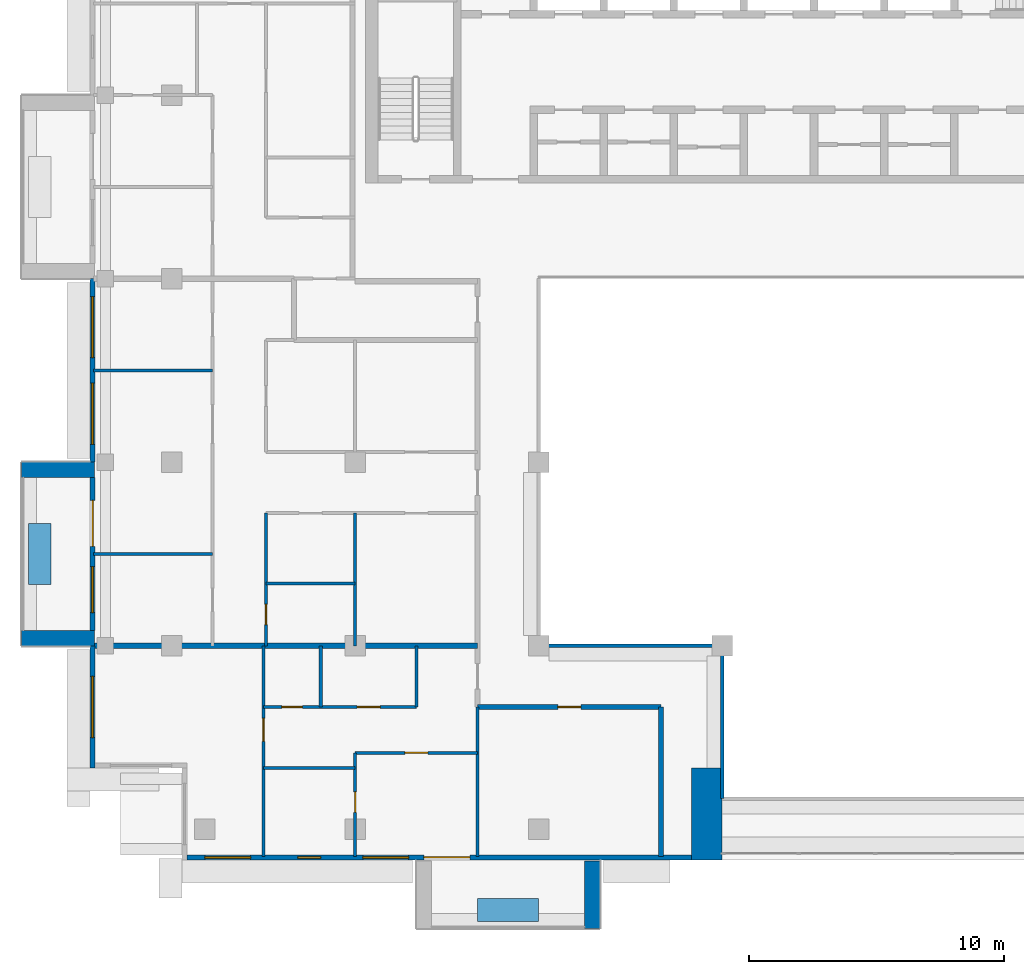
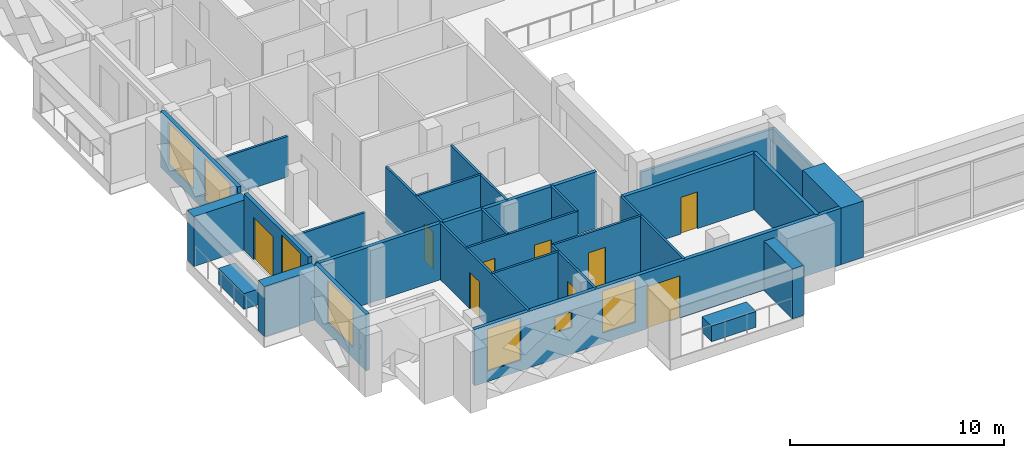
# One storey, part 6 of 19: 28 walls, 9 doors, 7 windows, 16 openings.
"""IFC4 building model written with IfcOpenShell, lengths in metres."""

from ifc_helpers import new_model, si_unit, direction, frame, frame_2d, origin, place, context, subcontext, project, spatial, rectangle, extrude, material, layer, layer_set, type_object, element, fill, save


model = new_model("IFC4")

# Units and contexts
model_context = context("Model", 3, precision=1e-05, world=origin(), true_north=direction((0.0, 1.0)))
body_context = subcontext(model_context, "Body", "Model", "MODEL_VIEW")
ifc_project = project(units=[si_unit("LENGTHUNIT", "METRE"), si_unit("AREAUNIT", "SQUARE_METRE"), si_unit("VOLUMEUNIT", "CUBIC_METRE"), si_unit("PLANEANGLEUNIT", "RADIAN"), si_unit("MASSUNIT", "GRAM", prefix="KILO")], contexts=[model_context])

# Site, building, storey
site_placement = place(None, origin())
site = spatial("IfcSite", under=ifc_project, at=site_placement, CompositionType="ELEMENT")
building_placement = place(site_placement, origin())
building = spatial("IfcBuilding", under=site, at=building_placement, Name="Saffron Iwan Residences", CompositionType="ELEMENT")
storey_placement = place(building_placement, frame((0.0, 0.0, 246.5)))
storey = spatial("IfcBuildingStorey", under=building, at=storey_placement, Name="L66", CompositionType="ELEMENT", Elevation=246.5)

# Walls
ifc_material_1 = material(Name="Fire-rated glazing", Category="glass")
ifc_layer_1 = layer(ifc_material_1, 0.14990234375)
ifc_layer_set_1 = layer_set([ifc_layer_1], Name="Fire-rated glazing")
wall_type_1 = type_object("IfcWallType", Name="Atrium glazed screen 150", PredefinedType="SOLIDWALL", material=ifc_layer_set_1)
wall_1_placement = place(storey_placement, frame((36.0, 48.0, 0.0), z_axis=(0.0, 0.0, 1.0), x_axis=(1.0, 0.0, 0.0)))
element("IfcWall", 1, at=wall_1_placement, inside=storey, type_object=wall_type_1, Name="W-L66-SCREEN-h48-36", PredefinedType="SOLIDWALL", context=body_context, shape_type="SweptSolid", body=[
    extrude(rectangle(XDim=7.199951171875, YDim=0.14990234375, at=frame_2d((3.60009765625, 0.0))), origin(), (0.0, 0.0, 1.0), 2.320068359375),
])
wall_2_placement = place(storey_placement, frame((43.199951171875, 42.0, 0.0), z_axis=(0.0, 0.0, 1.0), x_axis=(0.0, 1.0, 0.0)))
element("IfcWall", 2, at=wall_2_placement, inside=storey, type_object=wall_type_1, Name="W-L66-SCREEN-v43.2-42", PredefinedType="SOLIDWALL", context=body_context, shape_type="SweptSolid", body=[
    extrude(rectangle(XDim=6.0, YDim=0.14990234375, at=frame_2d((3.0, 0.0))), origin(), (0.0, 0.0, 1.0), 2.320068359375),
])
ifc_material_2 = material(Name="Concrete C50/60 white painted", Category="concrete")
ifc_layer_2 = layer(ifc_material_2, 0.60009765625)
ifc_layer_set_2 = layer_set([ifc_layer_2], Name="Concrete C50/60 white painted")
wall_type_2 = type_object("IfcWallType", Name="BALCONY FIN 600", PredefinedType="SOLIDWALL", material=ifc_layer_set_2)
for number, where, z_axis, x_axis, name in (
    (3, (18.574951171875, 54.89990234375, 0.0), (0.0, 0.0, 1.0), (-1.0, 0.0, 0.0), "Balcony fin L66 F8-1a"),
    (4, (18.574951171875, 48.300048828125, 0.0), (0.0, 0.0, 1.0), (-1.0, 0.0, 0.0), "Balcony fin L66 F8-1b"),
):
    element("IfcWall", number, at=place(storey_placement, frame(where, z_axis=z_axis, x_axis=x_axis)), inside=storey, type_object=wall_type_2, Name=name, PredefinedType="SOLIDWALL", context=body_context, shape_type="SweptSolid", body=[
        extrude(rectangle(XDim=2.875, YDim=0.60009765625, at=frame_2d((1.4375, 0.0))), origin(), (0.0, 0.0, 1.0), 2.85009765625),
    ])
wall_3_placement = place(storey_placement, frame((38.10009765625, 39.550048828125, 0.0), z_axis=(0.0, 0.0, 1.0), x_axis=(0.0, -1.0, 0.0)))
element("IfcWall", 5, at=wall_3_placement, inside=storey, type_object=wall_type_2, Name="Balcony fin L66 11-0b", PredefinedType="SOLIDWALL", context=body_context, shape_type="SweptSolid", body=[
    extrude(rectangle(XDim=2.650146484375, YDim=0.60009765625, at=frame_2d((1.3251953125, 0.0))), origin(), (0.0, 0.0, 1.0), 2.85009765625),
])
ifc_material_3 = material(Name="Concrete C35/45 white painted", Category="concrete")
ifc_layer_3 = layer(ifc_material_3, 0.14990234375)
ifc_layer_set_3 = layer_set([ifc_layer_3], Name="Concrete C35/45 white painted")
wall_type_3 = type_object("IfcWallType", Name="BALCONY PLANTER", PredefinedType="SOLIDWALL", material=ifc_layer_set_3)
wall_4_placement = place(storey_placement, frame((16.425048828125, 52.800048828125, 0.0), z_axis=(0.0, 0.0, 1.0), x_axis=(0.0, -1.0, 0.0)))
element("IfcWall", 6, at=wall_4_placement, inside=storey, type_object=wall_type_3, Name="PLANTER L66 F8-1", PredefinedType="SOLIDWALL", context=body_context, shape_type="SweptSolid", body=[
    extrude(rectangle(XDim=2.400146484375, YDim=0.89990234375, at=frame_2d((1.2001953125, 0.0))), origin(), (0.0, 0.0, 1.0), 0.89990234375),
])
wall_5_placement = place(storey_placement, frame((33.60009765625, 37.625, 0.0), z_axis=(0.0, 0.0, 1.0), x_axis=(1.0, 0.0, 0.0)))
element("IfcWall", 7, at=wall_5_placement, inside=storey, type_object=wall_type_3, Name="PLANTER L66 11-0", PredefinedType="SOLIDWALL", context=body_context, shape_type="SweptSolid", body=[
    extrude(rectangle(XDim=2.39990234375, YDim=0.89990234375, at=frame_2d((1.199951171875, 0.0))), origin(), (0.0, 0.0, 1.0), 0.89990234375),
])

# Wall, openings, windows
ifc_material_4 = material(Name="Concrete C40/50", Category="concrete")
ifc_layer_4 = layer(ifc_material_4, 0.199951171875)
ifc_layer_set_4 = layer_set([ifc_layer_4], Name="Concrete C40/50")
wall_type_4 = type_object("IfcWallType", Name="EXTERNAL WALL 200", PredefinedType="SOLIDWALL", material=ifc_layer_set_4)
wall_6_placement = place(storey_placement, frame((18.5, 62.39990234375, 0.0), z_axis=(0.0, 0.0, 1.0), x_axis=(0.0, -1.0, 0.0)))
wall_6 = element("IfcWall", 8, at=wall_6_placement, inside=storey, type_object=wall_type_4, Name="External wall L66 F8.2", PredefinedType="SOLIDWALL", context=body_context, shape_type="SweptSolid", body=[
    extrude(rectangle(XDim=7.199951171875, YDim=0.199951171875, at=frame_2d((3.60009765625, 0.0))), origin(), (0.0, 0.0, 1.0), 3.219970703125),
])
opening_1_placement = place(wall_6_placement, frame((4.10009765625, 0.0, 0.60009765625)))
opening_1 = element("IfcOpeningElement", 9, at=opening_1_placement, cuts=wall_6, Name="Opening W1", PredefinedType="OPENING", context=body_context, shape_type="SweptSolid", body=[
    extrude(rectangle(XDim=2.39990234375, YDim=2.39990234375, at=frame_2d((1.199951171875, 1.199951171875))), frame((0.0, 0.10986328125, 0.0), z_axis=(0.0, -1.0, 0.0), x_axis=(1.0, 0.0, 0.0)), (0.0, 0.0, 1.0), 0.219970703125),
])
opening_2_placement = place(wall_6_placement, frame((0.699951171875, 0.0, 0.60009765625)))
opening_2 = element("IfcOpeningElement", 10, at=opening_2_placement, cuts=wall_6, Name="Opening W1", PredefinedType="OPENING", context=body_context, shape_type="SweptSolid", body=[
    extrude(rectangle(XDim=2.39990234375, YDim=2.39990234375, at=frame_2d((1.199951171875, 1.199951171875))), frame((0.0, 0.10986328125, 0.0), z_axis=(0.0, -1.0, 0.0), x_axis=(1.0, 0.0, 0.0)), (0.0, 0.0, 1.0), 0.219970703125),
])
ifc_material_5 = material(Name="Clear glass, laminated double glazed", Category="glass")
window_type_1 = type_object("IfcWindowType", Name="WINDOW 2400 x 2400", PartitioningType="DOUBLE_PANEL_VERTICAL", PredefinedType="WINDOW", material=ifc_material_5)
window_1_placement = place(opening_1_placement, origin())
window_1 = element("IfcWindow", 11, at=window_1_placement, inside=storey, type_object=window_type_1, Name="Window L66 F8.0", OverallHeight=2.39990234375, OverallWidth=2.39990234375, PartitioningType="DOUBLE_PANEL_VERTICAL", PredefinedType="WINDOW", context=body_context, shape_type="SweptSolid", body=[
    extrude(rectangle(XDim=2.39990234375, YDim=2.39990234375, at=frame_2d((1.199951171875, 1.199951171875))), frame((0.0, 0.030029296875, 0.0), z_axis=(0.0, -1.0, 0.0), x_axis=(1.0, 0.0, 0.0)), (0.0, 0.0, 1.0), 0.06005859375),
])
fill(opening_1, window_1)
window_2_placement = place(opening_2_placement, origin())
window_2 = element("IfcWindow", 12, at=window_2_placement, inside=storey, type_object=window_type_1, Name="Window L66 F8.1", OverallHeight=2.39990234375, OverallWidth=2.39990234375, PartitioningType="DOUBLE_PANEL_VERTICAL", PredefinedType="WINDOW", context=body_context, shape_type="SweptSolid", body=[
    extrude(rectangle(XDim=2.39990234375, YDim=2.39990234375, at=frame_2d((1.199951171875, 1.199951171875))), frame((0.0, 0.030029296875, 0.0), z_axis=(0.0, -1.0, 0.0), x_axis=(1.0, 0.0, 0.0)), (0.0, 0.0, 1.0), 0.06005859375),
])
fill(opening_2, window_2)

# Wall, openings, door, window
wall_7_placement = place(storey_placement, frame((18.5, 54.60009765625, 0.0), z_axis=(0.0, 0.0, 1.0), x_axis=(0.0, -1.0, 0.0)))
wall_7 = element("IfcWall", 13, at=wall_7_placement, inside=storey, type_object=wall_type_4, Name="External wall L66 F8.3", PredefinedType="SOLIDWALL", context=body_context, shape_type="SweptSolid", body=[
    extrude(rectangle(XDim=6.0, YDim=0.199951171875, at=frame_2d((3.0, 0.0))), origin(), (0.0, 0.0, 1.0), 3.219970703125),
])
opening_3_placement = place(wall_7_placement, frame((0.89990234375, 0.0, 0.0)))
opening_3 = element("IfcOpeningElement", 14, at=opening_3_placement, cuts=wall_7, Name="Opening BD1", PredefinedType="OPENING", context=body_context, shape_type="SweptSolid", body=[
    extrude(rectangle(XDim=1.800048828125, YDim=2.39990234375, at=frame_2d((0.89990234375, 1.199951171875))), frame((0.0, 0.10986328125, 0.0), z_axis=(0.0, -1.0, 0.0), x_axis=(1.0, 0.0, 0.0)), (0.0, 0.0, 1.0), 0.219970703125),
])
opening_4_placement = place(wall_7_placement, frame((3.5, 0.0, 0.60009765625)))
opening_4 = element("IfcOpeningElement", 15, at=opening_4_placement, cuts=wall_7, Name="Opening W8", PredefinedType="OPENING", context=body_context, shape_type="SweptSolid", body=[
    extrude(rectangle(XDim=1.800048828125, YDim=2.39990234375, at=frame_2d((0.89990234375, 1.199951171875))), frame((0.0, 0.10986328125, 0.0), z_axis=(0.0, -1.0, 0.0), x_axis=(1.0, 0.0, 0.0)), (0.0, 0.0, 1.0), 0.219970703125),
])
door_type_1 = type_object("IfcDoorType", Name="BALCONY DOOR 1800 x 2400", OperationType="DOUBLE_DOOR_SLIDING", PredefinedType="DOOR", material=ifc_material_5)
door_1_placement = place(opening_3_placement, origin())
door_1 = element("IfcDoor", 16, at=door_1_placement, inside=storey, type_object=door_type_1, Name="Balcony door L66 F8.0", OperationType="DOUBLE_DOOR_SLIDING", OverallHeight=2.39990234375, OverallWidth=1.800048828125, PredefinedType="DOOR", context=body_context, shape_type="SweptSolid", body=[
    extrude(rectangle(XDim=1.800048828125, YDim=2.39990234375, at=frame_2d((0.89990234375, 1.199951171875))), frame((0.0, 0.02490234375, 0.0), z_axis=(0.0, -1.0, 0.0), x_axis=(1.0, 0.0, 0.0)), (0.0, 0.0, 1.0), 0.050048828125),
])
fill(opening_3, door_1)
window_type_2 = type_object("IfcWindowType", Name="WINDOW 1800 x 2400", PartitioningType="DOUBLE_PANEL_VERTICAL", PredefinedType="WINDOW", material=ifc_material_5)
window_3_placement = place(opening_4_placement, origin())
window_3 = element("IfcWindow", 17, at=window_3_placement, inside=storey, type_object=window_type_2, Name="Window L66 F8.1", OverallHeight=2.39990234375, OverallWidth=1.800048828125, PartitioningType="DOUBLE_PANEL_VERTICAL", PredefinedType="WINDOW", context=body_context, shape_type="SweptSolid", body=[
    extrude(rectangle(XDim=1.800048828125, YDim=2.39990234375, at=frame_2d((0.89990234375, 1.199951171875))), frame((0.0, 0.030029296875, 0.0), z_axis=(0.0, -1.0, 0.0), x_axis=(1.0, 0.0, 0.0)), (0.0, 0.0, 1.0), 0.06005859375),
])
fill(opening_4, window_3)

# Wall, opening, window
wall_8_placement = place(storey_placement, frame((18.5, 48.0, 0.0), z_axis=(0.0, 0.0, 1.0), x_axis=(0.0, -1.0, 0.0)))
wall_8 = element("IfcWall", 18, at=wall_8_placement, inside=storey, type_object=wall_type_4, Name="External wall L66 F8.4", PredefinedType="SOLIDWALL", context=body_context, shape_type="SweptSolid", body=[
    extrude(rectangle(XDim=4.800048828125, YDim=0.199951171875, at=frame_2d((2.39990234375, 0.0))), origin(), (0.0, 0.0, 1.0), 3.219970703125),
])
opening_5_placement = place(wall_8_placement, frame((1.199951171875, 0.0, 0.60009765625)))
opening_5 = element("IfcOpeningElement", 19, at=opening_5_placement, cuts=wall_8, Name="Opening W1", PredefinedType="OPENING", context=body_context, shape_type="SweptSolid", body=[
    extrude(rectangle(XDim=2.39990234375, YDim=2.39990234375, at=frame_2d((1.199951171875, 1.199951171875))), frame((0.0, 0.10986328125, 0.0), z_axis=(0.0, -1.0, 0.0), x_axis=(1.0, 0.0, 0.0)), (0.0, 0.0, 1.0), 0.219970703125),
])
window_4_placement = place(opening_5_placement, origin())
window_4 = element("IfcWindow", 20, at=window_4_placement, inside=storey, type_object=window_type_1, Name="Window L66 F8.0", OverallHeight=2.39990234375, OverallWidth=2.39990234375, PartitioningType="DOUBLE_PANEL_VERTICAL", PredefinedType="WINDOW", context=body_context, shape_type="SweptSolid", body=[
    extrude(rectangle(XDim=2.39990234375, YDim=2.39990234375, at=frame_2d((1.199951171875, 1.199951171875))), frame((0.0, 0.030029296875, 0.0), z_axis=(0.0, -1.0, 0.0), x_axis=(1.0, 0.0, 0.0)), (0.0, 0.0, 1.0), 0.06005859375),
])
fill(opening_5, window_4)

# Wall, openings, door, windows
wall_9_placement = place(storey_placement, frame((22.199951171875, 39.699951171875, 0.0), z_axis=(0.0, 0.0, 1.0), x_axis=(1.0, 0.0, 0.0)))
wall_9 = element("IfcWall", 21, at=wall_9_placement, inside=storey, type_object=wall_type_4, Name="External wall L66 F11.0", PredefinedType="SOLIDWALL", context=body_context, shape_type="SweptSolid", body=[
    extrude(rectangle(XDim=19.800048828125, YDim=0.199951171875, at=frame_2d((9.89990234375, 0.0))), origin(), (0.0, 0.0, 1.0), 3.219970703125),
])
opening_6_placement = place(wall_9_placement, frame((9.300048828125, 0.0, 0.0)))
opening_6 = element("IfcOpeningElement", 22, at=opening_6_placement, cuts=wall_9, Name="Opening BD1", PredefinedType="OPENING", context=body_context, shape_type="SweptSolid", body=[
    extrude(rectangle(XDim=1.800048828125, YDim=2.39990234375, at=frame_2d((0.89990234375, 1.199951171875))), frame((0.0, 0.10986328125, 0.0), z_axis=(0.0, -1.0, 0.0), x_axis=(1.0, 0.0, 0.0)), (0.0, 0.0, 1.0), 0.219970703125),
])
opening_7_placement = place(wall_9_placement, frame((0.699951171875, 0.0, 0.60009765625)))
opening_7 = element("IfcOpeningElement", 23, at=opening_7_placement, cuts=wall_9, Name="Opening W8", PredefinedType="OPENING", context=body_context, shape_type="SweptSolid", body=[
    extrude(rectangle(XDim=1.800048828125, YDim=2.39990234375, at=frame_2d((0.89990234375, 1.199951171875))), frame((0.0, 0.10986328125, 0.0), z_axis=(0.0, -1.0, 0.0), x_axis=(1.0, 0.0, 0.0)), (0.0, 0.0, 1.0), 0.219970703125),
])
opening_8_placement = place(wall_9_placement, frame((6.89990234375, 0.0, 0.60009765625)))
opening_8 = element("IfcOpeningElement", 24, at=opening_8_placement, cuts=wall_9, Name="Opening W8", PredefinedType="OPENING", context=body_context, shape_type="SweptSolid", body=[
    extrude(rectangle(XDim=1.800048828125, YDim=2.39990234375, at=frame_2d((0.89990234375, 1.199951171875))), frame((0.0, 0.10986328125, 0.0), z_axis=(0.0, -1.0, 0.0), x_axis=(1.0, 0.0, 0.0)), (0.0, 0.0, 1.0), 0.219970703125),
])
opening_9_placement = place(wall_9_placement, frame((4.35009765625, 0.0, 1.5)))
opening_9 = element("IfcOpeningElement", 25, at=opening_9_placement, cuts=wall_9, Name="Opening W6", PredefinedType="OPENING", context=body_context, shape_type="SweptSolid", body=[
    extrude(rectangle(XDim=0.89990234375, YDim=0.89990234375, at=frame_2d((0.449951171875, 0.449951171875))), frame((0.0, 0.10986328125, 0.0), z_axis=(0.0, -1.0, 0.0), x_axis=(1.0, 0.0, 0.0)), (0.0, 0.0, 1.0), 0.219970703125),
])
door_2_placement = place(opening_6_placement, origin())
door_2 = element("IfcDoor", 26, at=door_2_placement, inside=storey, type_object=door_type_1, Name="Balcony door L66 F11.0", OperationType="DOUBLE_DOOR_SLIDING", OverallHeight=2.39990234375, OverallWidth=1.800048828125, PredefinedType="DOOR", context=body_context, shape_type="SweptSolid", body=[
    extrude(rectangle(XDim=1.800048828125, YDim=2.39990234375, at=frame_2d((0.89990234375, 1.199951171875))), frame((0.0, 0.02490234375, 0.0), z_axis=(0.0, -1.0, 0.0), x_axis=(1.0, 0.0, 0.0)), (0.0, 0.0, 1.0), 0.050048828125),
])
fill(opening_6, door_2)
window_5_placement = place(opening_7_placement, origin())
window_5 = element("IfcWindow", 27, at=window_5_placement, inside=storey, type_object=window_type_2, Name="Window L66 F11.1", OverallHeight=2.39990234375, OverallWidth=1.800048828125, PartitioningType="DOUBLE_PANEL_VERTICAL", PredefinedType="WINDOW", context=body_context, shape_type="SweptSolid", body=[
    extrude(rectangle(XDim=1.800048828125, YDim=2.39990234375, at=frame_2d((0.89990234375, 1.199951171875))), frame((0.0, 0.030029296875, 0.0), z_axis=(0.0, -1.0, 0.0), x_axis=(1.0, 0.0, 0.0)), (0.0, 0.0, 1.0), 0.06005859375),
])
fill(opening_7, window_5)
window_6_placement = place(opening_8_placement, origin())
window_6 = element("IfcWindow", 28, at=window_6_placement, inside=storey, type_object=window_type_2, Name="Window L66 F11.2", OverallHeight=2.39990234375, OverallWidth=1.800048828125, PartitioningType="DOUBLE_PANEL_VERTICAL", PredefinedType="WINDOW", context=body_context, shape_type="SweptSolid", body=[
    extrude(rectangle(XDim=1.800048828125, YDim=2.39990234375, at=frame_2d((0.89990234375, 1.199951171875))), frame((0.0, 0.030029296875, 0.0), z_axis=(0.0, -1.0, 0.0), x_axis=(1.0, 0.0, 0.0)), (0.0, 0.0, 1.0), 0.06005859375),
])
fill(opening_8, window_6)
window_type_3 = type_object("IfcWindowType", Name="WINDOW 900 x 900 BATH", PartitioningType="SINGLE_PANEL", PredefinedType="WINDOW", material=ifc_material_5)
window_7_placement = place(opening_9_placement, origin())
window_7 = element("IfcWindow", 29, at=window_7_placement, inside=storey, type_object=window_type_3, Name="Window L66 F11.3", OverallHeight=0.89990234375, OverallWidth=0.89990234375, PartitioningType="SINGLE_PANEL", PredefinedType="WINDOW", context=body_context, shape_type="SweptSolid", body=[
    extrude(rectangle(XDim=0.89990234375, YDim=0.89990234375, at=frame_2d((0.449951171875, 0.449951171875))), frame((0.0, 0.030029296875, 0.0), z_axis=(0.0, -1.0, 0.0), x_axis=(1.0, 0.0, 0.0)), (0.0, 0.0, 1.0), 0.06005859375),
])
fill(opening_9, window_7)

# Walls
ifc_material_6 = material(Name="Fire-rated gypsum board wall")
ifc_layer_5 = layer(ifc_material_6, 0.199951171875)
ifc_layer_set_5 = layer_set([ifc_layer_5], Name="Fire-rated gypsum board wall")
wall_type_5 = type_object("IfcWallType", Name="Flat demising wall 200", PredefinedType="SOLIDWALL", material=ifc_layer_set_5)
wall_10_placement = place(storey_placement, frame((18.52490234375, 48.0, 0.0), z_axis=(0.0, 0.0, 1.0), x_axis=(1.0, 0.0, 0.0)))
element("IfcWall", 30, at=wall_10_placement, inside=storey, type_object=wall_type_5, Name="W-L66-DEMISE-h48-18.525", PredefinedType="SOLIDWALL", context=body_context, shape_type="SweptSolid", body=[
    extrude(rectangle(XDim=15.0751953125, YDim=0.199951171875, at=frame_2d((7.53759765625, 0.0))), origin(), (0.0, 0.0, 1.0), 3.219970703125),
])
ifc_material_7 = material(Name="Gypsum board partition")
ifc_layer_6 = layer(ifc_material_7, 0.1201171875)
ifc_layer_set_6 = layer_set([ifc_layer_6], Name="Gypsum board partition")
wall_type_6 = type_object("IfcWallType", Name="Flat partition 120", PredefinedType="PARTITIONING", material=ifc_layer_set_6)
wall_11_placement = place(storey_placement, frame((25.199951171875, 43.199951171875, 0.0), z_axis=(0.0, 0.0, 1.0), x_axis=(1.0, 0.0, 0.0)))
element("IfcWall", 31, at=wall_11_placement, inside=storey, type_object=wall_type_6, Name="W-L66-PART-h43.2-25.2", PredefinedType="PARTITIONING", context=body_context, shape_type="SweptSolid", body=[
    extrude(rectangle(XDim=3.60009765625, YDim=0.1201171875, at=frame_2d((1.800048828125, 0.0))), origin(), (0.0, 0.0, 1.0), 3.219970703125),
])

# Wall, opening, door
wall_12_placement = place(storey_placement, frame((28.800048828125, 43.800048828125, 0.0), z_axis=(0.0, 0.0, 1.0), x_axis=(1.0, 0.0, 0.0)))
wall_12 = element("IfcWall", 32, at=wall_12_placement, inside=storey, type_object=wall_type_6, Name="W-L66-PART-h43.8-28.8", PredefinedType="PARTITIONING", context=body_context, shape_type="SweptSolid", body=[
    extrude(rectangle(XDim=4.800048828125, YDim=0.1201171875, at=frame_2d((2.39990234375, 0.0))), origin(), (0.0, 0.0, 1.0), 3.219970703125),
])
opening_10_placement = place(wall_12_placement, frame((1.949951171875, 0.0, 0.0)))
opening_10 = element("IfcOpeningElement", 33, at=opening_10_placement, cuts=wall_12, Name="Opening FD2", PredefinedType="OPENING", context=body_context, shape_type="SweptSolid", body=[
    extrude(rectangle(XDim=0.89990234375, YDim=2.10009765625, at=frame_2d((0.449951171875, 1.050048828125))), frame((0.0, 0.070068359375, 0.0), z_axis=(0.0, -1.0, 0.0), x_axis=(1.0, 0.0, 0.0)), (0.0, 0.0, 1.0), 0.14013671875),
])
ifc_material_8 = material(Name="Timber door", Category="wood")
door_type_2 = type_object("IfcDoorType", Name="Flat door 900", OperationType="NOTDEFINED", PredefinedType="DOOR", material=ifc_material_8)
door_3_placement = place(opening_10_placement, origin())
door_3 = element("IfcDoor", 34, at=door_3_placement, inside=storey, type_object=door_type_2, Name="Door L66-003", OperationType="SINGLE_SWING_LEFT", OverallHeight=2.10009765625, OverallWidth=0.89990234375, PredefinedType="DOOR", context=body_context, shape_type="SweptSolid", body=[
    extrude(rectangle(XDim=0.89990234375, YDim=2.10009765625, at=frame_2d((0.449951171875, 1.050048828125))), frame((0.0, 0.02490234375, 0.0), z_axis=(0.0, -1.0, 0.0), x_axis=(1.0, 0.0, 0.0)), (0.0, 0.0, 1.0), 0.050048828125),
])
fill(opening_10, door_3)

# Wall, openings, doors
wall_13_placement = place(storey_placement, frame((25.199951171875, 45.60009765625, 0.0), z_axis=(0.0, 0.0, 1.0), x_axis=(1.0, 0.0, 0.0)))
wall_13 = element("IfcWall", 35, at=wall_13_placement, inside=storey, type_object=wall_type_6, Name="W-L66-PART-h45.6-25.2", PredefinedType="PARTITIONING", context=body_context, shape_type="SweptSolid", body=[
    extrude(rectangle(XDim=6.0, YDim=0.1201171875, at=frame_2d((3.0, 0.0))), origin(), (0.0, 0.0, 1.0), 3.219970703125),
])
opening_11_placement = place(wall_13_placement, frame((0.72509765625, 0.0, 0.0)))
opening_11 = element("IfcOpeningElement", 36, at=opening_11_placement, cuts=wall_13, Name="Opening FD3", PredefinedType="OPENING", context=body_context, shape_type="SweptSolid", body=[
    extrude(rectangle(XDim=0.800048828125, YDim=2.10009765625, at=frame_2d((0.39990234375, 1.050048828125))), frame((0.0, 0.070068359375, 0.0), z_axis=(0.0, -1.0, 0.0), x_axis=(1.0, 0.0, 0.0)), (0.0, 0.0, 1.0), 0.14013671875),
])
opening_12_placement = place(wall_13_placement, frame((3.675048828125, 0.0, 0.0)))
opening_12 = element("IfcOpeningElement", 37, at=opening_12_placement, cuts=wall_13, Name="Opening FD2", PredefinedType="OPENING", context=body_context, shape_type="SweptSolid", body=[
    extrude(rectangle(XDim=0.89990234375, YDim=2.10009765625, at=frame_2d((0.449951171875, 1.050048828125))), frame((0.0, 0.070068359375, 0.0), z_axis=(0.0, -1.0, 0.0), x_axis=(1.0, 0.0, 0.0)), (0.0, 0.0, 1.0), 0.14013671875),
])
door_type_3 = type_object("IfcDoorType", Name="Bathroom door 800", OperationType="NOTDEFINED", PredefinedType="DOOR", material=ifc_material_8)
door_4_placement = place(opening_11_placement, origin())
door_4 = element("IfcDoor", 38, at=door_4_placement, inside=storey, type_object=door_type_3, Name="Door L66-005", OperationType="SINGLE_SWING_LEFT", OverallHeight=2.10009765625, OverallWidth=0.800048828125, PredefinedType="DOOR", context=body_context, shape_type="SweptSolid", body=[
    extrude(rectangle(XDim=0.800048828125, YDim=2.10009765625, at=frame_2d((0.39990234375, 1.050048828125))), frame((0.0, 0.02490234375, 0.0), z_axis=(0.0, -1.0, 0.0), x_axis=(1.0, 0.0, 0.0)), (0.0, 0.0, 1.0), 0.050048828125),
])
fill(opening_11, door_4)
door_5_placement = place(opening_12_placement, origin())
door_5 = element("IfcDoor", 39, at=door_5_placement, inside=storey, type_object=door_type_2, Name="Door L66-006", OperationType="SINGLE_SWING_LEFT", OverallHeight=2.10009765625, OverallWidth=0.89990234375, PredefinedType="DOOR", context=body_context, shape_type="SweptSolid", body=[
    extrude(rectangle(XDim=0.89990234375, YDim=2.10009765625, at=frame_2d((0.449951171875, 1.050048828125))), frame((0.0, 0.02490234375, 0.0), z_axis=(0.0, -1.0, 0.0), x_axis=(1.0, 0.0, 0.0)), (0.0, 0.0, 1.0), 0.050048828125),
])
fill(opening_12, door_5)

# Walls
wall_14_placement = place(storey_placement, frame((25.300048828125, 50.449951171875, 0.0), z_axis=(0.0, 0.0, 1.0), x_axis=(1.0, 0.0, 0.0)))
element("IfcWall", 40, at=wall_14_placement, inside=storey, type_object=wall_type_6, Name="W-L66-PART-h50.45-25.3", PredefinedType="PARTITIONING", context=body_context, shape_type="SweptSolid", body=[
    extrude(rectangle(XDim=3.5, YDim=0.1201171875, at=frame_2d((1.75, 0.0))), origin(), (0.0, 0.0, 1.0), 3.219970703125),
])
for number, where, z_axis, x_axis, name in (
    (41, (18.52490234375, 51.60009765625, 0.0), (0.0, 0.0, 1.0), (1.0, 0.0, 0.0), "W-L66-PART-h51.6-18.525"),
    (42, (18.52490234375, 58.800048828125, 0.0), (0.0, 0.0, 1.0), (1.0, 0.0, 0.0), "W-L66-PART-h58.8-18.525"),
):
    element("IfcWall", number, at=place(storey_placement, frame(where, z_axis=z_axis, x_axis=x_axis)), inside=storey, type_object=wall_type_6, Name=name, PredefinedType="PARTITIONING", context=body_context, shape_type="SweptSolid", body=[
        extrude(rectangle(XDim=4.675048828125, YDim=0.1201171875, at=frame_2d((2.33740234375, 0.0))), origin(), (0.0, 0.0, 1.0), 2.320068359375),
    ])

# Wall, opening, door
wall_15_placement = place(storey_placement, frame((25.199951171875, 39.72509765625, 0.0), z_axis=(0.0, 0.0, 1.0), x_axis=(0.0, 1.0, 0.0)))
wall_15 = element("IfcWall", 43, at=wall_15_placement, inside=storey, type_object=wall_type_6, Name="W-L66-PART-v25.2-39.725", PredefinedType="PARTITIONING", context=body_context, shape_type="SweptSolid", body=[
    extrude(rectangle(XDim=8.27490234375, YDim=0.1201171875, at=frame_2d((4.137451171875, 0.0))), origin(), (0.0, 0.0, 1.0), 3.219970703125),
])
opening_13_placement = place(wall_15_placement, frame((4.52490234375, 0.0, 0.0)))
opening_13 = element("IfcOpeningElement", 44, at=opening_13_placement, cuts=wall_15, Name="Opening FD2", PredefinedType="OPENING", context=body_context, shape_type="SweptSolid", body=[
    extrude(rectangle(XDim=0.89990234375, YDim=2.10009765625, at=frame_2d((0.449951171875, 1.050048828125))), frame((0.0, 0.070068359375, 0.0), z_axis=(0.0, -1.0, 0.0), x_axis=(1.0, 0.0, 0.0)), (0.0, 0.0, 1.0), 0.14013671875),
])
door_6_placement = place(opening_13_placement, origin())
door_6 = element("IfcDoor", 45, at=door_6_placement, inside=storey, type_object=door_type_2, Name="Door L66-002", OperationType="SINGLE_SWING_LEFT", OverallHeight=2.10009765625, OverallWidth=0.89990234375, PredefinedType="DOOR", context=body_context, shape_type="SweptSolid", body=[
    extrude(rectangle(XDim=0.89990234375, YDim=2.10009765625, at=frame_2d((0.449951171875, 1.050048828125))), frame((0.0, 0.02490234375, 0.0), z_axis=(0.0, -1.0, 0.0), x_axis=(1.0, 0.0, 0.0)), (0.0, 0.0, 1.0), 0.050048828125),
])
fill(opening_13, door_6)

wall_16_placement = place(storey_placement, frame((25.300048828125, 48.0, 0.0), z_axis=(0.0, 0.0, 1.0), x_axis=(0.0, 1.0, 0.0)))
wall_16 = element("IfcWall", 46, at=wall_16_placement, inside=storey, type_object=wall_type_6, Name="W-L66-PART-v25.3-48", PredefinedType="PARTITIONING", context=body_context, shape_type="SweptSolid", body=[
    extrude(rectangle(XDim=5.199951171875, YDim=0.1201171875, at=frame_2d((2.60009765625, 0.0))), origin(), (0.0, 0.0, 1.0), 3.219970703125),
])
opening_14_placement = place(wall_16_placement, frame((0.824951171875, 0.0, 0.0)))
opening_14 = element("IfcOpeningElement", 47, at=opening_14_placement, cuts=wall_16, Name="Opening FD3", PredefinedType="OPENING", context=body_context, shape_type="SweptSolid", body=[
    extrude(rectangle(XDim=0.800048828125, YDim=2.10009765625, at=frame_2d((0.39990234375, 1.050048828125))), frame((0.0, 0.070068359375, 0.0), z_axis=(0.0, -1.0, 0.0), x_axis=(1.0, 0.0, 0.0)), (0.0, 0.0, 1.0), 0.14013671875),
])
door_7_placement = place(opening_14_placement, origin())
door_7 = element("IfcDoor", 48, at=door_7_placement, inside=storey, type_object=door_type_3, Name="Door L66-012", OperationType="SINGLE_SWING_LEFT", OverallHeight=2.10009765625, OverallWidth=0.800048828125, PredefinedType="DOOR", context=body_context, shape_type="SweptSolid", body=[
    extrude(rectangle(XDim=0.800048828125, YDim=2.10009765625, at=frame_2d((0.39990234375, 1.050048828125))), frame((0.0, 0.02490234375, 0.0), z_axis=(0.0, -1.0, 0.0), x_axis=(1.0, 0.0, 0.0)), (0.0, 0.0, 1.0), 0.050048828125),
])
fill(opening_14, door_7)

# Wall
wall_17_placement = place(storey_placement, frame((27.449951171875, 45.60009765625, 0.0), z_axis=(0.0, 0.0, 1.0), x_axis=(0.0, 1.0, 0.0)))
element("IfcWall", 49, at=wall_17_placement, inside=storey, type_object=wall_type_6, Name="W-L66-PART-v27.45-45.6", PredefinedType="PARTITIONING", context=body_context, shape_type="SweptSolid", body=[
    extrude(rectangle(XDim=2.39990234375, YDim=0.1201171875, at=frame_2d((1.199951171875, 0.0))), origin(), (0.0, 0.0, 1.0), 3.219970703125),
])

# Wall, opening, door
wall_18_placement = place(storey_placement, frame((28.800048828125, 39.72509765625, 0.0), z_axis=(0.0, 0.0, 1.0), x_axis=(0.0, 1.0, 0.0)))
wall_18 = element("IfcWall", 50, at=wall_18_placement, inside=storey, type_object=wall_type_6, Name="W-L66-PART-v28.8-39.725", PredefinedType="PARTITIONING", context=body_context, shape_type="SweptSolid", body=[
    extrude(rectangle(XDim=4.074951171875, YDim=0.1201171875, at=frame_2d((2.03759765625, 0.0))), origin(), (0.0, 0.0, 1.0), 3.219970703125),
])
opening_15_placement = place(wall_18_placement, frame((1.737548828125, 0.0, 0.0)))
opening_15 = element("IfcOpeningElement", 51, at=opening_15_placement, cuts=wall_18, Name="Opening FD3", PredefinedType="OPENING", context=body_context, shape_type="SweptSolid", body=[
    extrude(rectangle(XDim=0.800048828125, YDim=2.10009765625, at=frame_2d((0.39990234375, 1.050048828125))), frame((0.0, 0.070068359375, 0.0), z_axis=(0.0, -1.0, 0.0), x_axis=(1.0, 0.0, 0.0)), (0.0, 0.0, 1.0), 0.14013671875),
])
door_8_placement = place(opening_15_placement, origin())
door_8 = element("IfcDoor", 52, at=door_8_placement, inside=storey, type_object=door_type_3, Name="Door L66-004", OperationType="SINGLE_SWING_LEFT", OverallHeight=2.10009765625, OverallWidth=0.800048828125, PredefinedType="DOOR", context=body_context, shape_type="SweptSolid", body=[
    extrude(rectangle(XDim=0.800048828125, YDim=2.10009765625, at=frame_2d((0.39990234375, 1.050048828125))), frame((0.0, 0.02490234375, 0.0), z_axis=(0.0, -1.0, 0.0), x_axis=(1.0, 0.0, 0.0)), (0.0, 0.0, 1.0), 0.050048828125),
])
fill(opening_15, door_8)

# Walls
wall_19_placement = place(storey_placement, frame((28.800048828125, 48.0, 0.0), z_axis=(0.0, 0.0, 1.0), x_axis=(0.0, 1.0, 0.0)))
element("IfcWall", 53, at=wall_19_placement, inside=storey, type_object=wall_type_6, Name="W-L66-PART-v28.8-48", PredefinedType="PARTITIONING", context=body_context, shape_type="SweptSolid", body=[
    extrude(rectangle(XDim=5.199951171875, YDim=0.1201171875, at=frame_2d((2.60009765625, 0.0))), origin(), (0.0, 0.0, 1.0), 3.219970703125),
])
wall_20_placement = place(storey_placement, frame((31.199951171875, 45.60009765625, 0.0), z_axis=(0.0, 0.0, 1.0), x_axis=(0.0, 1.0, 0.0)))
element("IfcWall", 54, at=wall_20_placement, inside=storey, type_object=wall_type_6, Name="W-L66-PART-v31.2-45.6", PredefinedType="PARTITIONING", context=body_context, shape_type="SweptSolid", body=[
    extrude(rectangle(XDim=2.39990234375, YDim=0.1201171875, at=frame_2d((1.199951171875, 0.0))), origin(), (0.0, 0.0, 1.0), 3.219970703125),
])
wall_21_placement = place(storey_placement, frame((33.60009765625, 39.72509765625, 0.0), z_axis=(0.0, 0.0, 1.0), x_axis=(0.0, 1.0, 0.0)))
element("IfcWall", 55, at=wall_21_placement, inside=storey, type_object=wall_type_6, Name="W-L66-PART-v33.6-39.725", PredefinedType="PARTITIONING", context=body_context, shape_type="SweptSolid", body=[
    extrude(rectangle(XDim=5.875, YDim=0.1201171875, at=frame_2d((2.9375, 0.0))), origin(), (0.0, 0.0, 1.0), 3.219970703125),
])

# Wall, opening, door
ifc_layer_7 = layer(ifc_material_6, 0.199951171875)
ifc_layer_set_7 = layer_set([ifc_layer_7], Name="Fire-rated gypsum board wall")
wall_type_7 = type_object("IfcWallType", Name="Gallery wall 200", PredefinedType="SOLIDWALL", material=ifc_layer_set_7)
wall_22_placement = place(storey_placement, frame((33.60009765625, 45.60009765625, 0.0), z_axis=(0.0, 0.0, 1.0), x_axis=(1.0, 0.0, 0.0)))
wall_22 = element("IfcWall", 56, at=wall_22_placement, inside=storey, type_object=wall_type_7, Name="W-L66-CORR-h45.6-33.6", PredefinedType="SOLIDWALL", context=body_context, shape_type="SweptSolid", body=[
    extrude(rectangle(XDim=7.199951171875, YDim=0.199951171875, at=frame_2d((3.60009765625, 0.0))), origin(), (0.0, 0.0, 1.0), 3.219970703125),
])
opening_16_placement = place(wall_22_placement, frame((3.14990234375, 0.0, 0.0)))
opening_16 = element("IfcOpeningElement", 57, at=opening_16_placement, cuts=wall_22, Name="Opening FD2", PredefinedType="OPENING", context=body_context, shape_type="SweptSolid", body=[
    extrude(rectangle(XDim=0.89990234375, YDim=2.10009765625, at=frame_2d((0.449951171875, 1.050048828125))), frame((0.0, 0.10986328125, 0.0), z_axis=(0.0, -1.0, 0.0), x_axis=(1.0, 0.0, 0.0)), (0.0, 0.0, 1.0), 0.219970703125),
])
door_9_placement = place(opening_16_placement, origin())
door_9 = element("IfcDoor", 58, at=door_9_placement, inside=storey, type_object=door_type_2, Name="Door L66-007", OperationType="SINGLE_SWING_RIGHT", OverallHeight=2.10009765625, OverallWidth=0.89990234375, PredefinedType="DOOR", context=body_context, shape_type="SweptSolid", body=[
    extrude(rectangle(XDim=0.89990234375, YDim=2.10009765625, at=frame_2d((0.449951171875, 1.050048828125))), frame((0.0, 0.02490234375, 0.0), z_axis=(0.0, -1.0, 0.0), x_axis=(1.0, 0.0, 0.0)), (0.0, 0.0, 1.0), 0.050048828125),
])
fill(opening_16, door_9)

# Walls
wall_23_placement = place(storey_placement, frame((40.800048828125, 39.72509765625, 0.0), z_axis=(0.0, 0.0, 1.0), x_axis=(0.0, 1.0, 0.0)))
element("IfcWall", 59, at=wall_23_placement, inside=storey, type_object=wall_type_7, Name="W-L66-CORR-v40.8-39.725", PredefinedType="SOLIDWALL", context=body_context, shape_type="SweptSolid", body=[
    extrude(rectangle(XDim=5.875, YDim=0.199951171875, at=frame_2d((2.9375, 0.0))), origin(), (0.0, 0.0, 1.0), 3.219970703125),
])
ifc_layer_8 = layer(ifc_material_4, 1.199951171875)
ifc_layer_set_8 = layer_set([ifc_layer_8], Name="Concrete C40/50")
wall_type_8 = type_object("IfcWallType", Name="WALL IWAN PIER 1200 C40/50 3220 HIGH", PredefinedType="SHEAR", material=ifc_layer_set_8)
wall_24_placement = place(storey_placement, frame((42.60009765625, 39.60009765625, 0.0), z_axis=(0.0, 0.0, 1.0), x_axis=(0.0, 1.0, 0.0)))
element("IfcWall", 60, at=wall_24_placement, inside=storey, type_object=wall_type_8, Name="IWAN PIER", PredefinedType="SHEAR", context=body_context, shape_type="SweptSolid", body=[
    extrude(rectangle(XDim=3.599853515625, YDim=1.199951171875, at=frame_2d((1.7998046875, 0.0))), origin(), (0.0, 0.0, 1.0), 3.219970703125),
])

save(model, "model.ifc")
